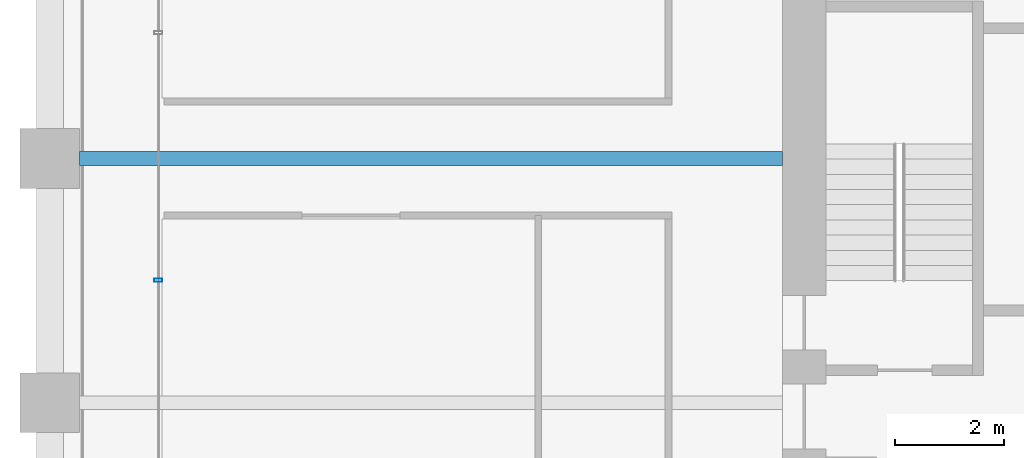
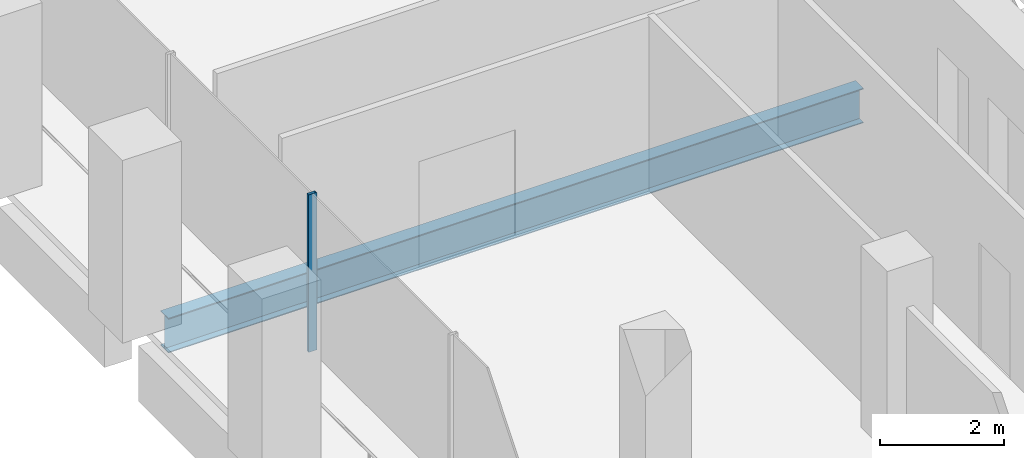
# One storey, part 11 of 54: 1 beam, 1 member, 1 element without a shape of its own.
"""IFC4 building model written with IfcOpenShell, lengths in metres."""

from ifc_helpers import new_model, si_unit, direction, frame, origin, origin_2d, place, context, subcontext, project, spatial, hollow_rectangle, i_section, extrude, material, material_profile, profile_set, type_object, element, aggregate, save


model = new_model("IFC4")

# Units and contexts
model_context = context("Model", 3, precision=1e-05, world=origin(), true_north=direction((0.0, 1.0)))
body_context = subcontext(model_context, "Body", "Model", "MODEL_VIEW")
ifc_project = project(units=[si_unit("LENGTHUNIT", "METRE"), si_unit("AREAUNIT", "SQUARE_METRE"), si_unit("VOLUMEUNIT", "CUBIC_METRE"), si_unit("PLANEANGLEUNIT", "RADIAN"), si_unit("MASSUNIT", "GRAM", prefix="KILO")], contexts=[model_context])

# Site, building, storey
site_placement = place(None, origin())
site = spatial("IfcSite", under=ifc_project, at=site_placement, CompositionType="ELEMENT")
building_placement = place(site_placement, origin())
building = spatial("IfcBuilding", under=site, at=building_placement, Name="Altepetl Exchange Towers", CompositionType="ELEMENT")
storey_placement = place(building_placement, frame((0.0, 0.0, 65.39990234375)))
storey = spatial("IfcBuildingStorey", under=building, at=storey_placement, Name="L15", CompositionType="ELEMENT", Elevation=65.39990234375)

# Beam
ifc_material_1 = material(Name="Steel S355", Category="steel")
ifc_material_profile_1 = material_profile(ifc_material_1, i_section(OverallWidth=0.25390625, OverallDepth=0.68408203125, WebThickness=0.012451171875, FlangeThickness=0.018798828125, at=origin_2d()), Name="W27X94")
ifc_profile_set_1 = profile_set([ifc_material_profile_1], Name="Steel S355")
beam_type = type_object("IfcBeamType", Name="Floor beam W27X94", PredefinedType="BEAM", material=ifc_profile_set_1)
beam_placement = place(storey_placement, frame((27.550048828125, 49.5, -0.491943359375), z_axis=(1.0, 0.0, 0.0), x_axis=(0.0, 1.0, 0.0)))
element("IfcBeam", 1, at=beam_placement, inside=storey, type_object=beam_type, Name="bm:A:L15:019", PredefinedType="BEAM", context=body_context, shape_type="SweptSolid", body=[
    extrude(i_section(OverallWidth=0.25390625, OverallDepth=0.68408203125, WebThickness=0.012451171875, FlangeThickness=0.018798828125, at=origin_2d()), origin(), (0.0, 0.0, 1.0), 12.949951171875),
])

# Curtain wall, member
ifc_material_2 = material(Name="Aluminium 6063-T6 glazing", Category="aluminium")
curtain_wall_type = type_object("IfcCurtainWallType", Name="Loggia glazing system", PredefinedType="NOTDEFINED", material=ifc_material_2)
curtain_wall_placement = place(storey_placement, origin())
curtain_wall = element("IfcCurtainWall", 2, at=curtain_wall_placement, inside=storey, type_object=curtain_wall_type, Name="CW1 run", PredefinedType="NOTDEFINED")
ifc_material_3 = material(Name="Aluminium 6063-T6", Category="aluminium")
ifc_material_profile_2 = material_profile(ifc_material_3, hollow_rectangle(XDim=0.06005859375, YDim=0.14990234375, WallThickness=0.0029296875, at=origin_2d()), Name="Mullion 60x150 aluminium")
ifc_profile_set_2 = profile_set([ifc_material_profile_2], Name="Aluminium 6063-T6")
member_type = type_object("IfcMemberType", Name="Mullion 60x150 aluminium", PredefinedType="MULLION", material=ifc_profile_set_2)
member_placement = place(storey_placement, frame((29.0, 47.257080078125, 0.0), z_axis=(0.0, 0.0, 1.0), x_axis=(0.0, -1.0, 0.0)))
member = element("IfcMember", 3, at=member_placement, type_object=member_type, Name="MU1 mullion", PredefinedType="MULLION", context=body_context, shape_type="SweptSolid", body=[
    extrude(hollow_rectangle(XDim=0.06005859375, YDim=0.14990234375, WallThickness=0.0029296875, at=origin_2d()), origin(), (0.0, 0.0, 1.0), 3.10009765625),
])
aggregate(curtain_wall, [member])

save(model, "model.ifc")
